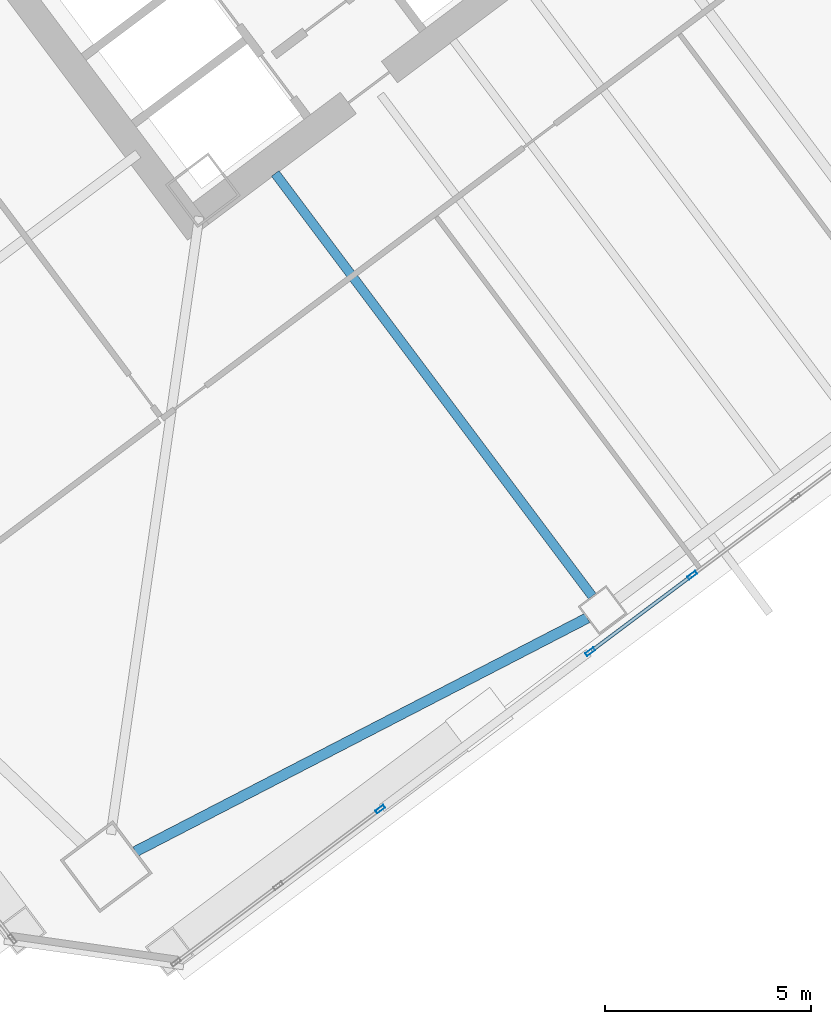
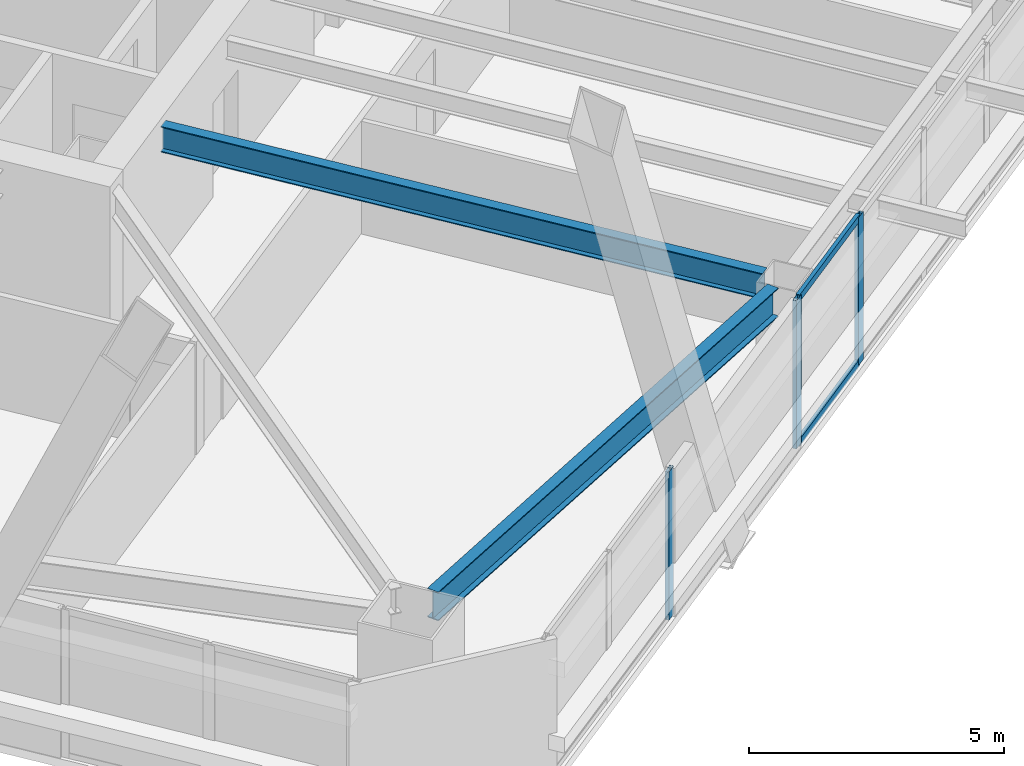
# One storey, part 42 of 75: 5 members, 2 beams, 2 elements without a shape of their own.
"""IFC4 building model written with IfcOpenShell, lengths in metres."""

from ifc_helpers import new_model, si_unit, direction, frame, origin, origin_2d, place, context, subcontext, project, spatial, hollow_rectangle, i_section, extrude, material, material_profile, profile_set, type_object, element, aggregate, save


model = new_model("IFC4")

# Units and contexts
model_context = context("Model", 3, precision=1e-05, world=origin(), true_north=direction((0.0, 1.0)))
body_context = subcontext(model_context, "Body", "Model", "MODEL_VIEW")
ifc_project = project(units=[si_unit("LENGTHUNIT", "METRE"), si_unit("AREAUNIT", "SQUARE_METRE"), si_unit("VOLUMEUNIT", "CUBIC_METRE"), si_unit("PLANEANGLEUNIT", "RADIAN"), si_unit("MASSUNIT", "GRAM", prefix="KILO")], contexts=[model_context])

# Site, building, storey
site_placement = place(None, origin())
site = spatial("IfcSite", under=ifc_project, at=site_placement, CompositionType="ELEMENT")
building_placement = place(site_placement, origin())
building = spatial("IfcBuilding", under=site, at=building_placement, Name="Tashvorn Skyway Center", CompositionType="ELEMENT")
storey_placement = place(building_placement, frame((0.0, 0.0, 45.89990234375)))
storey = spatial("IfcBuildingStorey", under=building, at=storey_placement, Name="L11", CompositionType="ELEMENT", Elevation=45.89990234375)

# Beams
ifc_material_1 = material(Name="Steel ASTM A992 Grade 50", Category="steel")
ifc_material_profile_1 = material_profile(ifc_material_1, i_section(OverallWidth=0.22998046875, OverallDepth=0.616943359375, WebThickness=0.01318359375, FlangeThickness=0.022216796875, at=origin_2d()), Name="W24X94")
ifc_profile_set_1 = profile_set([ifc_material_profile_1], Name="Steel ASTM A992 Grade 50")
beam_type_1 = type_object("IfcBeamType", Name="BM-BEAM-W24X94", PredefinedType="BEAM", material=ifc_profile_set_1)
beam_1_placement = place(storey_placement, frame((122.05810546875, 12.256103515625, 3.04150390625), z_axis=(-0.600018239213, 0.799986320265, 0.0), x_axis=(-0.799986320265, -0.600018239213, 0.0)))
element("IfcBeam", 1, at=beam_1_placement, inside=storey, type_object=beam_type_1, Name="Tower 2 L11 Primary Floor Girder FC-S1", PredefinedType="BEAM", context=body_context, shape_type="SweptSolid", body=[
    extrude(i_section(OverallWidth=0.22998046875, OverallDepth=0.616943359375, WebThickness=0.01318359375, FlangeThickness=0.022216796875, at=origin_2d()), origin(), (0.0, 0.0, 1.0), 12.849853515625),
])
ifc_material_profile_2 = material_profile(ifc_material_1, i_section(OverallWidth=0.256103515625, OverallDepth=0.693115234375, WebThickness=0.014404296875, FlangeThickness=0.023681640625, at=origin_2d()), Name="W27X114")
ifc_profile_set_2 = profile_set([ifc_material_profile_2], Name="Steel ASTM A992 Grade 50")
beam_type_2 = type_object("IfcBeamType", Name="BM-SPANDREL-W27X114", PredefinedType="SPANDREL", material=ifc_profile_set_2)
beam_2_placement = place(storey_placement, frame((110.9462890625, 6.045166015625, 3.003662109375), z_axis=(0.888315637339, 0.459233413919, 0.0), x_axis=(-0.459233413919, 0.888315637339, 0.0)))
element("IfcBeam", 2, at=beam_2_placement, inside=storey, type_object=beam_type_2, Name="Tower 2 L11 Spandrel Beam 01", PredefinedType="SPANDREL", context=body_context, shape_type="SweptSolid", body=[
    extrude(i_section(OverallWidth=0.256103515625, OverallDepth=0.693115234375, WebThickness=0.014404296875, FlangeThickness=0.023681640625, at=origin_2d()), origin(), (0.0, 0.0, 1.0), 12.37255859375),
])

# Curtain wall, members
ifc_material_2 = material(Name="Thermally broken bronze-anodized aluminium 6063-T6", Category="aluminium")
curtain_wall_type = type_object("IfcCurtainWallType", Name="CW-CW-Z1", PredefinedType="NOTDEFINED", material=ifc_material_2)
curtain_wall_1_placement = place(storey_placement, origin())
curtain_wall_1 = element("IfcCurtainWall", 3, at=curtain_wall_1_placement, inside=storey, type_object=curtain_wall_type, Name="Tower 2 L11 South Unitised Curtain Wall Glazing Group 2", PredefinedType="NOTDEFINED")
ifc_material_profile_3 = material_profile(ifc_material_2, hollow_rectangle(XDim=0.0849609375, YDim=0.239990234375, WallThickness=0.0048828125, at=origin_2d()), Name="ALU-MULL-85x240")
ifc_profile_set_3 = profile_set([ifc_material_profile_3], Name="Thermally broken bronze-anodized aluminium 6063-T6")
member_type_1 = type_object("IfcMemberType", Name="CWM-CW-Z1", PredefinedType="MULLION", material=ifc_profile_set_3)
member_1_placement = place(storey_placement, frame((124.49072265625, 12.76806640625, 0.0), z_axis=(0.0, 0.0, 1.0), x_axis=(0.599997457641, -0.800001906763, 0.0)))
member_1 = element("IfcMember", 4, at=member_1_placement, type_object=member_type_1, Name="CW-Z1 mullion 4", PredefinedType="MULLION", context=body_context, shape_type="SweptSolid", body=[
    extrude(hollow_rectangle(XDim=0.0849609375, YDim=0.239990234375, WallThickness=0.0048828125, at=origin_2d()), origin(), (0.0, 0.0, 1.0), 3.550048828125),
])
member_2_placement = place(storey_placement, frame((122.00732421875, 10.905517578125, 0.0), z_axis=(0.0, 0.0, 1.0), x_axis=(0.599997457641, -0.800001906763, 0.0)))
member_2 = element("IfcMember", 5, at=member_2_placement, type_object=member_type_1, Name="CW-Z1 mullion 5", PredefinedType="MULLION", context=body_context, shape_type="SweptSolid", body=[
    extrude(hollow_rectangle(XDim=0.0849609375, YDim=0.239990234375, WallThickness=0.0048828125, at=origin_2d()), origin(), (0.0, 0.0, 1.0), 3.550048828125),
])

# Curtain wall, member
curtain_wall_2_placement = place(storey_placement, origin())
curtain_wall_2 = element("IfcCurtainWall", 6, at=curtain_wall_2_placement, inside=storey, type_object=curtain_wall_type, Name="Tower 2 L11 South Unitised Curtain Wall Glazing Group 3", PredefinedType="NOTDEFINED")
member_3_placement = place(storey_placement, frame((116.90478515625, 7.07861328125, 0.0), z_axis=(0.0, 0.0, 1.0), x_axis=(0.599997457641, -0.800001906763, 0.0)))
member_3 = element("IfcMember", 7, at=member_3_placement, type_object=member_type_1, Name="CW-Z1 mullion 1", PredefinedType="MULLION", context=body_context, shape_type="SweptSolid", body=[
    extrude(hollow_rectangle(XDim=0.0849609375, YDim=0.239990234375, WallThickness=0.0048828125, at=origin_2d()), origin(), (0.0, 0.0, 1.0), 3.550048828125),
])
aggregate(curtain_wall_2, [member_3])

# Member
ifc_material_profile_4 = material_profile(ifc_material_2, hollow_rectangle(XDim=0.0849609375, YDim=0.1650390625, WallThickness=0.0048828125, at=origin_2d()), Name="ALU-TRAN-85x165")
ifc_profile_set_4 = profile_set([ifc_material_profile_4], Name="Thermally broken bronze-anodized aluminium 6063-T6")
member_type_2 = type_object("IfcMemberType", Name="CWT-CW-Z1", PredefinedType="USERDEFINED", material=ifc_profile_set_4)
member_4_placement = place(storey_placement, frame((124.45654296875, 12.742431640625, 0.04248046875), z_axis=(-0.799990296182, -0.600012938206, 0.0), x_axis=(0.600012938206, -0.799990296182, 0.0)))
member_4 = element("IfcMember", 8, at=member_4_placement, type_object=member_type_2, Name="CW-Z1 transom 4.1", ObjectType="TRANSOM", PredefinedType="USERDEFINED", context=body_context, shape_type="SweptSolid", body=[
    extrude(hollow_rectangle(XDim=0.0849609375, YDim=0.1650390625, WallThickness=0.0048828125, at=origin_2d()), origin(), (0.0, 0.0, 1.0), 3.01904296875),
])

member_5_placement = place(storey_placement, frame((124.45654296875, 12.742431640625, 3.507568359375), z_axis=(-0.799990296182, -0.600012938206, 0.0), x_axis=(0.600012938206, -0.799990296182, 0.0)))
member_5 = element("IfcMember", 9, at=member_5_placement, type_object=member_type_2, Name="CW-Z1 transom 4.2", ObjectType="TRANSOM", PredefinedType="USERDEFINED", context=body_context, shape_type="SweptSolid", body=[
    extrude(hollow_rectangle(XDim=0.0849609375, YDim=0.1650390625, WallThickness=0.0048828125, at=origin_2d()), origin(), (0.0, 0.0, 1.0), 3.01904296875),
])

aggregate(curtain_wall_1, [member_1, member_2, member_4, member_5])

save(model, "model.ifc")
